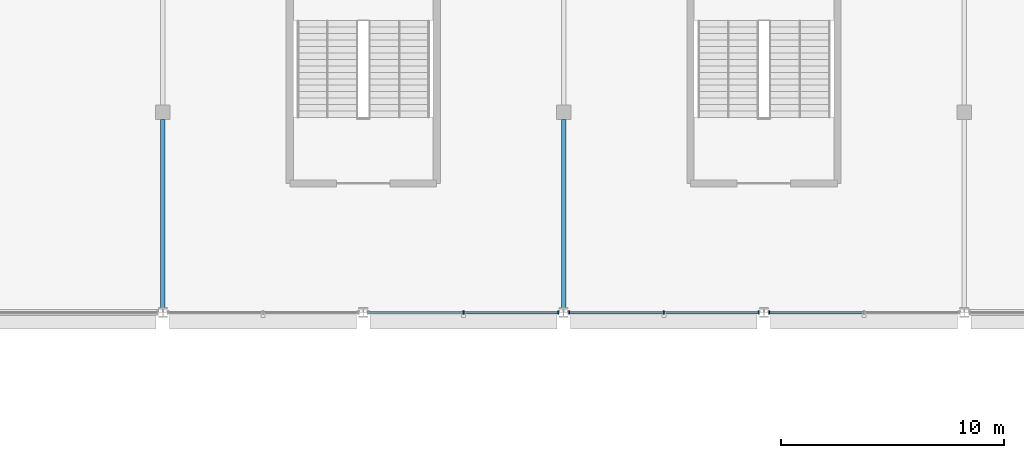
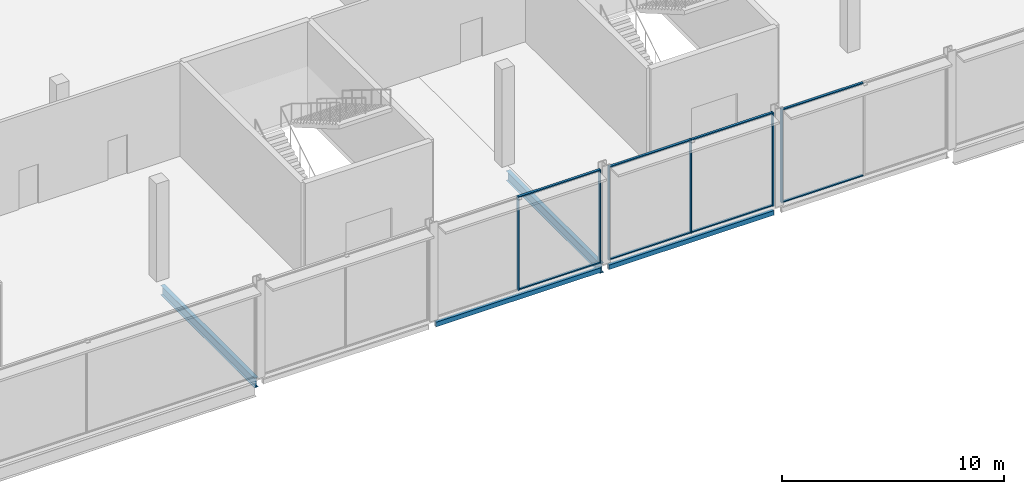
# One storey, part 34 of 111: 14 members, 4 beams, 3 elements without a shape of their own.
"""IFC4 building model written with IfcOpenShell, lengths in metres."""

from ifc_helpers import new_model, si_unit, direction, frame, origin, origin_2d, place, context, subcontext, project, spatial, rectangle, hollow_rectangle, i_section, extrude, material, layer, layer_set, material_profile, profile_set, type_object, element, aggregate, save


model = new_model("IFC4")

# Units and contexts
model_context = context("Model", 3, precision=1e-05, world=origin(), true_north=direction((0.0, 1.0)))
body_context = subcontext(model_context, "Body", "Model", "MODEL_VIEW")
ifc_project = project(units=[si_unit("LENGTHUNIT", "METRE"), si_unit("AREAUNIT", "SQUARE_METRE"), si_unit("VOLUMEUNIT", "CUBIC_METRE"), si_unit("PLANEANGLEUNIT", "RADIAN"), si_unit("MASSUNIT", "GRAM", prefix="KILO")], contexts=[model_context])

# Site, building, storey
site_placement = place(None, origin())
site = spatial("IfcSite", under=ifc_project, at=site_placement, CompositionType="ELEMENT")
building_placement = place(site_placement, origin())
building = spatial("IfcBuilding", under=site, at=building_placement, Name="Kisiwana Market Hall", CompositionType="ELEMENT")
storey_placement = place(building_placement, frame((0.0, 0.0, 11.39990234375)))
storey = spatial("IfcBuildingStorey", under=building, at=storey_placement, Name="L02", CompositionType="ELEMENT", Elevation=11.39990234375)

# Beams
ifc_material_1 = material(Name="Steel S355", Category="steel")
ifc_material_profile_1 = material_profile(ifc_material_1, i_section(OverallWidth=0.209228515625, OverallDepth=0.533203125, WebThickness=0.010009765625, FlangeThickness=0.015625, at=origin_2d()), Name="UB 533x210x92")
ifc_profile_set_1 = profile_set([ifc_material_profile_1], Name="Steel S355")
beam_type_1 = type_object("IfcBeamType", Name="BM-GIRD-UB533", PredefinedType="BEAM", material=ifc_profile_set_1)
for number, where, z_axis, x_axis, name in (
    (1, (81.0, 84.21337890625, -0.516357421875), (0.0, 1.0, 0.0), (-1.0, 0.0, 0.0), "Primary girder B-0640"),
    (2, (99.0, 84.21337890625, -0.516357421875), (0.0, 1.0, 0.0), (-1.0, 0.0, 0.0), "Primary girder B-0646"),
):
    element("IfcBeam", number, at=place(storey_placement, frame(where, z_axis=z_axis, x_axis=x_axis)), inside=storey, type_object=beam_type_1, Name=name, PredefinedType="BEAM", context=body_context, shape_type="SweptSolid", body=[
        extrude(i_section(OverallWidth=0.209228515625, OverallDepth=0.533203125, WebThickness=0.010009765625, FlangeThickness=0.015625, at=origin_2d()), origin(), (0.0, 0.0, 1.0), 8.465576171875),
    ])
ifc_material_2 = material(Name="Steel S355", Category="steel")
ifc_material_profile_2 = material_profile(ifc_material_2, hollow_rectangle(XDim=0.14990234375, YDim=0.25, WallThickness=0.010009765625, at=origin_2d()), Name="RHS 250x150x10.0")
ifc_profile_set_2 = profile_set([ifc_material_profile_2], Name="Steel S355")
beam_type_2 = type_object("IfcBeamType", Name="BM-SPAN-RHS250", PredefinedType="SPANDREL", material=ifc_profile_set_2)
for number, where, z_axis, x_axis, name in (
    (3, (90.201904296875, 84.0, -0.375), (1.0, 0.0, 0.0), (0.0, 1.0, 0.0), "Floor beam B-0780"),
    (4, (99.201904296875, 84.0, -0.375), (1.0, 0.0, 0.0), (0.0, 1.0, 0.0), "Floor beam B-0781"),
):
    element("IfcBeam", number, at=place(storey_placement, frame(where, z_axis=z_axis, x_axis=x_axis)), inside=storey, type_object=beam_type_2, Name=name, PredefinedType="SPANDREL", context=body_context, shape_type="SweptSolid", body=[
        extrude(hollow_rectangle(XDim=0.14990234375, YDim=0.25, WallThickness=0.010009765625, at=origin_2d()), origin(), (0.0, 0.0, 1.0), 8.59619140625),
    ])

# Curtain wall, members
ifc_material_3 = material(Name="Double-glazed solar-control low-E IGU", Category="glass")
ifc_layer = layer(ifc_material_3, 0.159912109375)
ifc_layer_set = layer_set([ifc_layer], Name="CW-GLD-W-6400")
curtain_wall_type = type_object("IfcCurtainWallType", Name="CW-GLD-W-6400", PredefinedType="USERDEFINED", material=ifc_layer_set)
curtain_wall_1_placement = place(storey_placement, origin())
curtain_wall_1 = element("IfcCurtainWall", 5, at=curtain_wall_1_placement, inside=storey, type_object=curtain_wall_type, Name="Unitised curtain wall CW-074 (L02)", ObjectType="UNITISED CURTAIN WALL", PredefinedType="USERDEFINED")
ifc_material_4 = material(Name="Aluminium alloy 6063-T6", Category="aluminium")
ifc_material_profile_3 = material_profile(ifc_material_4, rectangle(XDim=0.06005859375, YDim=0.159912109375, at=origin_2d()), Name="ALU MULLION 60x160")
ifc_profile_set_3 = profile_set([ifc_material_profile_3], Name="Aluminium alloy 6063-T6")
member_type_1 = type_object("IfcMemberType", Name="CW-MULL-60x160", PredefinedType="MULLION", material=ifc_profile_set_3)
member_1_placement = place(storey_placement, frame((94.5, 84.0, 0.0), z_axis=(0.0, 0.0, 1.0), x_axis=(1.0, 0.0, 0.0)))
member_1 = element("IfcMember", 6, at=member_1_placement, type_object=member_type_1, Name="CW-074 mullion 2", PredefinedType="MULLION", context=body_context, shape_type="SweptSolid", body=[
    extrude(rectangle(XDim=0.06005859375, YDim=0.159912109375, at=origin_2d()), origin(), (0.0, 0.0, 1.0), 5.150146484375),
])
member_2_placement = place(storey_placement, frame((98.763916015625, 84.0, 0.0), z_axis=(0.0, 0.0, 1.0), x_axis=(1.0, 0.0, 0.0)))
member_2 = element("IfcMember", 7, at=member_2_placement, type_object=member_type_1, Name="CW-074 mullion 3", PredefinedType="MULLION", context=body_context, shape_type="SweptSolid", body=[
    extrude(rectangle(XDim=0.06005859375, YDim=0.159912109375, at=origin_2d()), origin(), (0.0, 0.0, 1.0), 5.150146484375),
])

curtain_wall_2_placement = place(storey_placement, origin())
curtain_wall_2 = element("IfcCurtainWall", 8, at=curtain_wall_2_placement, inside=storey, type_object=curtain_wall_type, Name="Unitised curtain wall CW-075 (L02)", ObjectType="UNITISED CURTAIN WALL", PredefinedType="USERDEFINED")
member_3_placement = place(storey_placement, frame((99.236083984375, 84.0, 0.0), z_axis=(0.0, 0.0, 1.0), x_axis=(1.0, 0.0, 0.0)))
member_3 = element("IfcMember", 9, at=member_3_placement, type_object=member_type_1, Name="CW-075 mullion 1", PredefinedType="MULLION", context=body_context, shape_type="SweptSolid", body=[
    extrude(rectangle(XDim=0.06005859375, YDim=0.159912109375, at=origin_2d()), origin(), (0.0, 0.0, 1.0), 5.150146484375),
])
member_4_placement = place(storey_placement, frame((103.5, 84.0, 0.0), z_axis=(0.0, 0.0, 1.0), x_axis=(1.0, 0.0, 0.0)))
member_4 = element("IfcMember", 10, at=member_4_placement, type_object=member_type_1, Name="CW-075 mullion 2", PredefinedType="MULLION", context=body_context, shape_type="SweptSolid", body=[
    extrude(rectangle(XDim=0.06005859375, YDim=0.159912109375, at=origin_2d()), origin(), (0.0, 0.0, 1.0), 5.150146484375),
])
member_5_placement = place(storey_placement, frame((107.763916015625, 84.0, 0.0), z_axis=(0.0, 0.0, 1.0), x_axis=(1.0, 0.0, 0.0)))
member_5 = element("IfcMember", 11, at=member_5_placement, type_object=member_type_1, Name="CW-075 mullion 3", PredefinedType="MULLION", context=body_context, shape_type="SweptSolid", body=[
    extrude(rectangle(XDim=0.06005859375, YDim=0.159912109375, at=origin_2d()), origin(), (0.0, 0.0, 1.0), 5.150146484375),
])

# Curtain wall, member
curtain_wall_3_placement = place(storey_placement, origin())
curtain_wall_3 = element("IfcCurtainWall", 12, at=curtain_wall_3_placement, inside=storey, type_object=curtain_wall_type, Name="Unitised curtain wall CW-076 (L02)", ObjectType="UNITISED CURTAIN WALL", PredefinedType="USERDEFINED")
member_6_placement = place(storey_placement, frame((108.236083984375, 84.0, 0.0), z_axis=(0.0, 0.0, 1.0), x_axis=(1.0, 0.0, 0.0)))
member_6 = element("IfcMember", 13, at=member_6_placement, type_object=member_type_1, Name="CW-076 mullion 1", PredefinedType="MULLION", context=body_context, shape_type="SweptSolid", body=[
    extrude(rectangle(XDim=0.06005859375, YDim=0.159912109375, at=origin_2d()), origin(), (0.0, 0.0, 1.0), 5.150146484375),
])

# Member
ifc_material_5 = material(Name="Aluminium alloy 6063-T6", Category="aluminium")
ifc_material_profile_4 = material_profile(ifc_material_5, rectangle(XDim=0.1201171875, YDim=0.06005859375, at=origin_2d()), Name="ALU TRANSOM 60x120")
ifc_profile_set_4 = profile_set([ifc_material_profile_4], Name="Aluminium alloy 6063-T6")
member_type_2 = type_object("IfcMemberType", Name="CW-TRAN-60x120", PredefinedType="USERDEFINED", material=ifc_profile_set_4)
member_7_placement = place(storey_placement, frame((94.530029296875, 84.0, 0.030029296875), z_axis=(1.0, 0.0, 0.0), x_axis=(0.0, 1.0, 0.0)))
member_7 = element("IfcMember", 14, at=member_7_placement, type_object=member_type_2, Name="CW-074 transom 2.1", ObjectType="TRANSOM", PredefinedType="USERDEFINED", context=body_context, shape_type="SweptSolid", body=[
    extrude(rectangle(XDim=0.1201171875, YDim=0.06005859375, at=origin_2d()), origin(), (0.0, 0.0, 1.0), 4.203857421875),
])

member_8_placement = place(storey_placement, frame((94.530029296875, 84.0, 5.1201171875), z_axis=(1.0, 0.0, 0.0), x_axis=(0.0, 1.0, 0.0)))
member_8 = element("IfcMember", 15, at=member_8_placement, type_object=member_type_2, Name="CW-074 transom 2.2", ObjectType="TRANSOM", PredefinedType="USERDEFINED", context=body_context, shape_type="SweptSolid", body=[
    extrude(rectangle(XDim=0.1201171875, YDim=0.06005859375, at=origin_2d()), origin(), (0.0, 0.0, 1.0), 4.203857421875),
])

aggregate(curtain_wall_1, [member_1, member_2, member_7, member_8])

member_9_placement = place(storey_placement, frame((99.26611328125, 84.0, 0.030029296875), z_axis=(1.0, 0.0, 0.0), x_axis=(0.0, 1.0, 0.0)))
member_9 = element("IfcMember", 16, at=member_9_placement, type_object=member_type_2, Name="CW-075 transom 1.1", ObjectType="TRANSOM", PredefinedType="USERDEFINED", context=body_context, shape_type="SweptSolid", body=[
    extrude(rectangle(XDim=0.1201171875, YDim=0.06005859375, at=origin_2d()), origin(), (0.0, 0.0, 1.0), 4.203857421875),
])

member_10_placement = place(storey_placement, frame((99.26611328125, 84.0, 5.1201171875), z_axis=(1.0, 0.0, 0.0), x_axis=(0.0, 1.0, 0.0)))
member_10 = element("IfcMember", 17, at=member_10_placement, type_object=member_type_2, Name="CW-075 transom 1.2", ObjectType="TRANSOM", PredefinedType="USERDEFINED", context=body_context, shape_type="SweptSolid", body=[
    extrude(rectangle(XDim=0.1201171875, YDim=0.06005859375, at=origin_2d()), origin(), (0.0, 0.0, 1.0), 4.203857421875),
])

member_11_placement = place(storey_placement, frame((103.530029296875, 84.0, 0.030029296875), z_axis=(1.0, 0.0, 0.0), x_axis=(0.0, 1.0, 0.0)))
member_11 = element("IfcMember", 18, at=member_11_placement, type_object=member_type_2, Name="CW-075 transom 2.1", ObjectType="TRANSOM", PredefinedType="USERDEFINED", context=body_context, shape_type="SweptSolid", body=[
    extrude(rectangle(XDim=0.1201171875, YDim=0.06005859375, at=origin_2d()), origin(), (0.0, 0.0, 1.0), 4.203857421875),
])

member_12_placement = place(storey_placement, frame((103.530029296875, 84.0, 5.1201171875), z_axis=(1.0, 0.0, 0.0), x_axis=(0.0, 1.0, 0.0)))
member_12 = element("IfcMember", 19, at=member_12_placement, type_object=member_type_2, Name="CW-075 transom 2.2", ObjectType="TRANSOM", PredefinedType="USERDEFINED", context=body_context, shape_type="SweptSolid", body=[
    extrude(rectangle(XDim=0.1201171875, YDim=0.06005859375, at=origin_2d()), origin(), (0.0, 0.0, 1.0), 4.203857421875),
])

aggregate(curtain_wall_2, [member_3, member_4, member_5, member_9, member_10, member_11, member_12])

member_13_placement = place(storey_placement, frame((108.26611328125, 84.0, 0.030029296875), z_axis=(1.0, 0.0, 0.0), x_axis=(0.0, 1.0, 0.0)))
member_13 = element("IfcMember", 20, at=member_13_placement, type_object=member_type_2, Name="CW-076 transom 1.1", ObjectType="TRANSOM", PredefinedType="USERDEFINED", context=body_context, shape_type="SweptSolid", body=[
    extrude(rectangle(XDim=0.1201171875, YDim=0.06005859375, at=origin_2d()), origin(), (0.0, 0.0, 1.0), 4.203857421875),
])

member_14_placement = place(storey_placement, frame((108.26611328125, 84.0, 5.1201171875), z_axis=(1.0, 0.0, 0.0), x_axis=(0.0, 1.0, 0.0)))
member_14 = element("IfcMember", 21, at=member_14_placement, type_object=member_type_2, Name="CW-076 transom 1.2", ObjectType="TRANSOM", PredefinedType="USERDEFINED", context=body_context, shape_type="SweptSolid", body=[
    extrude(rectangle(XDim=0.1201171875, YDim=0.06005859375, at=origin_2d()), origin(), (0.0, 0.0, 1.0), 4.203857421875),
])

aggregate(curtain_wall_3, [member_6, member_13, member_14])

save(model, "model.ifc")
